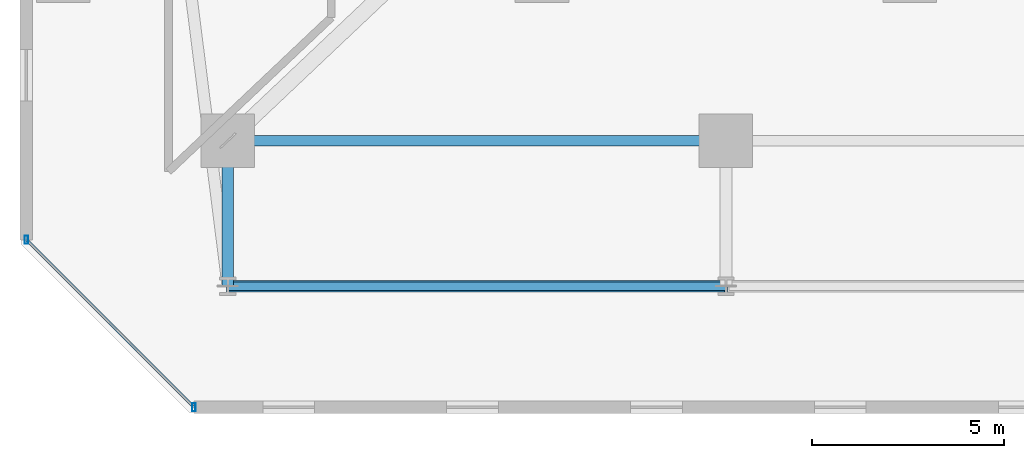
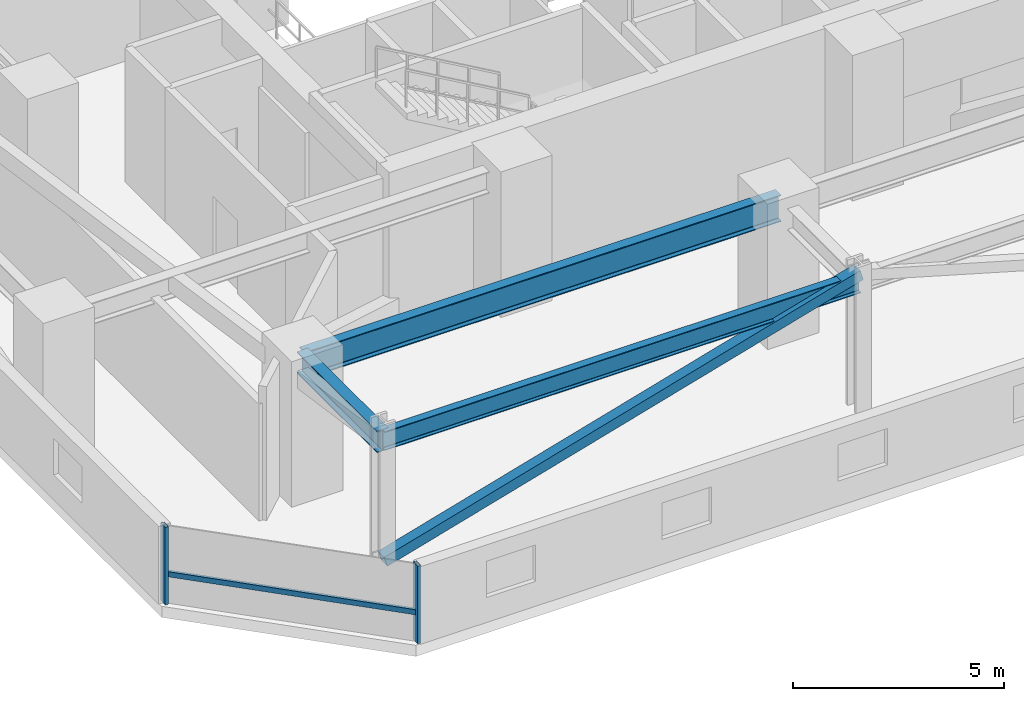
# One storey, part 3 of 38: 4 members, 3 beams, 1 element without a shape of its own.
"""IFC4 building model written with IfcOpenShell, lengths in metres."""

from ifc_helpers import new_model, si_unit, direction, frame, origin, origin_2d, place, context, subcontext, project, spatial, hollow_rectangle, i_section, extrude, material, material_profile, profile_set, type_object, element, aggregate, save


model = new_model("IFC4")

# Units and contexts
model_context = context("Model", 3, precision=1e-05, world=origin(), true_north=direction((0.0, 1.0)))
body_context = subcontext(model_context, "Body", "Model", "MODEL_VIEW")
ifc_project = project(units=[si_unit("LENGTHUNIT", "METRE"), si_unit("AREAUNIT", "SQUARE_METRE"), si_unit("VOLUMEUNIT", "CUBIC_METRE"), si_unit("PLANEANGLEUNIT", "RADIAN"), si_unit("MASSUNIT", "GRAM", prefix="KILO")], contexts=[model_context])

# Site, building, storey
site_placement = place(None, origin())
site = spatial("IfcSite", under=ifc_project, at=site_placement, CompositionType="ELEMENT")
building_placement = place(site_placement, origin())
building = spatial("IfcBuilding", under=site, at=building_placement, Name="Thornwick Lancets Civic Towers", CompositionType="ELEMENT")
storey_placement = place(building_placement, frame((0.0, 0.0, 71.699951171875)))
storey = spatial("IfcBuildingStorey", under=building, at=storey_placement, Name="L18", CompositionType="ELEMENT", Elevation=71.699951171875)

# Beams
ifc_material_1 = material(Name="Steel S355JR", Category="steel")
ifc_material_profile_1 = material_profile(ifc_material_1, i_section(OverallWidth=0.2119140625, OverallDepth=0.54443359375, WebThickness=0.0126953125, FlangeThickness=0.021240234375, FilletRadius=0.0126953125, at=origin_2d()), Name="UKB 533x210x122")
ifc_profile_set_1 = profile_set([ifc_material_profile_1], Name="Steel S355JR")
beam_type_1 = type_object("IfcBeamType", Name="BM_EDGE_533_122", PredefinedType="SPANDREL", material=ifc_profile_set_1)
beam_1_placement = place(storey_placement, frame((12.5, 5.89990234375, 3.607666015625), z_axis=(1.0, 0.0, 0.0), x_axis=(0.0, 1.0, 0.0)))
element("IfcBeam", 1, at=beam_1_placement, inside=storey, type_object=beam_type_1, Name="BM-EDGE-L18-A-S0-1", PredefinedType="SPANDREL", context=body_context, shape_type="SweptSolid", body=[
    extrude(i_section(OverallWidth=0.2119140625, OverallDepth=0.54443359375, WebThickness=0.0126953125, FlangeThickness=0.021240234375, FilletRadius=0.0126953125, at=origin_2d()), origin(), (0.0, 0.0, 1.0), 13.0),
])
ifc_material_profile_2 = material_profile(ifc_material_1, i_section(OverallWidth=0.30712890625, OverallDepth=0.6201171875, WebThickness=0.01416015625, FlangeThickness=0.023681640625, FilletRadius=0.0166015625, at=origin_2d()), Name="UKB 610x305x179")
ifc_profile_set_2 = profile_set([ifc_material_profile_2], Name="Steel S355JR")
beam_type_2 = type_object("IfcBeamType", Name="BM_GIRD_610_179", PredefinedType="BEAM", material=ifc_profile_set_2)
beam_2_placement = place(storey_placement, frame((12.5, 9.699951171875, 3.570068359375), z_axis=(0.0, -1.0, 0.0), x_axis=(1.0, 0.0, 0.0)))
element("IfcBeam", 2, at=beam_2_placement, inside=storey, type_object=beam_type_2, Name="BM-RAD-L18-A01", PredefinedType="BEAM", context=body_context, shape_type="SweptSolid", body=[
    extrude(i_section(OverallWidth=0.30712890625, OverallDepth=0.6201171875, WebThickness=0.01416015625, FlangeThickness=0.023681640625, FilletRadius=0.0166015625, at=origin_2d()), origin(), (0.0, 0.0, 1.0), 3.800048828125),
])
ifc_material_profile_3 = material_profile(ifc_material_1, i_section(OverallWidth=0.26806640625, OverallDepth=0.769775390625, WebThickness=0.015625, FlangeThickness=0.025390625, FilletRadius=0.0166015625, at=origin_2d()), Name="UKB 762x267x197")
ifc_profile_set_3 = profile_set([ifc_material_profile_3], Name="Steel S355JR")
beam_type_3 = type_object("IfcBeamType", Name="BM_GIRD_762_197", PredefinedType="BEAM", material=ifc_profile_set_3)
beam_3_placement = place(storey_placement, frame((12.5, 9.699951171875, 3.4951171875), z_axis=(1.0, 0.0, 0.0), x_axis=(0.0, 1.0, 0.0)))
element("IfcBeam", 3, at=beam_3_placement, inside=storey, type_object=beam_type_3, Name="BM-SPINE-L18-A-0-1", PredefinedType="BEAM", context=body_context, shape_type="SweptSolid", body=[
    extrude(i_section(OverallWidth=0.26806640625, OverallDepth=0.769775390625, WebThickness=0.015625, FlangeThickness=0.025390625, FilletRadius=0.0166015625, at=origin_2d()), origin(), (0.0, 0.0, 1.0), 13.0),
])

# Curtain wall, members
ifc_material_2 = material(Name="Low-zone chamfered-corner unitised glass curtain wall", Category="glass")
curtain_wall_type = type_object("IfcCurtainWallType", Name="CW_SYS_03", PredefinedType="NOTDEFINED", material=ifc_material_2)
curtain_wall_placement = place(storey_placement, origin())
curtain_wall = element("IfcCurtainWall", 4, at=curtain_wall_placement, inside=storey, type_object=curtain_wall_type, Name="L18 Curtain Wall CW-L18-A-E7", PredefinedType="NOTDEFINED")
ifc_material_3 = material(Name="Thermally broken bronze aluminium S355", Category="steel")
ifc_material_profile_4 = material_profile(ifc_material_3, hollow_rectangle(XDim=0.090087890625, YDim=0.219970703125, WallThickness=0.00634765625, at=origin_2d()), Name="RHS 220x90x6.3")
ifc_profile_set_4 = profile_set([ifc_material_profile_4], Name="Thermally broken bronze aluminium S355")
member_type_1 = type_object("IfcMemberType", Name="CW_MUL_220", PredefinedType="MULLION", material=ifc_profile_set_4)
member_1_placement = place(storey_placement, frame((7.240966796875, 7.112060546875, 0.0), z_axis=(0.0, 0.0, 1.0), x_axis=(1.0, 0.0, 0.0)))
member_1 = element("IfcMember", 5, at=member_1_placement, type_object=member_type_1, Name="CW-L18-A-E7 Mullion 0", PredefinedType="MULLION", context=body_context, shape_type="SweptSolid", body=[
    extrude(hollow_rectangle(XDim=0.090087890625, YDim=0.219970703125, WallThickness=0.00634765625, at=origin_2d()), origin(), (0.0, 0.0, 1.0), 2.239990234375),
])
member_2_placement = place(storey_placement, frame((11.612060546875, 2.740966796875, 0.0), z_axis=(0.0, 0.0, 1.0), x_axis=(1.0, 0.0, 0.0)))
member_2 = element("IfcMember", 6, at=member_2_placement, type_object=member_type_1, Name="CW-L18-A-E7 Mullion 1", PredefinedType="MULLION", context=body_context, shape_type="SweptSolid", body=[
    extrude(hollow_rectangle(XDim=0.090087890625, YDim=0.219970703125, WallThickness=0.00634765625, at=origin_2d()), origin(), (0.0, 0.0, 1.0), 2.239990234375),
])
ifc_material_profile_5 = material_profile(ifc_material_3, hollow_rectangle(XDim=0.074951171875, YDim=0.14990234375, WallThickness=0.0048828125, at=origin_2d()), Name="RHS 150x75x5")
ifc_profile_set_5 = profile_set([ifc_material_profile_5], Name="Thermally broken bronze aluminium S355")
member_type_2 = type_object("IfcMemberType", Name="CW_TRN_150", PredefinedType="USERDEFINED", material=ifc_profile_set_5)
member_3_placement = place(storey_placement, frame((7.2548828125, 7.097900390625, 0.85009765625), z_axis=(0.707106781187, -0.707106781187, 0.0), x_axis=(0.707106781187, 0.707106781187, 0.0)))
member_3 = element("IfcMember", 7, at=member_3_placement, type_object=member_type_2, Name="CW-L18-A-E7 Transom 0", ObjectType="TRANSOM", PredefinedType="USERDEFINED", context=body_context, shape_type="SweptSolid", body=[
    extrude(hollow_rectangle(XDim=0.074951171875, YDim=0.14990234375, WallThickness=0.0048828125, at=origin_2d()), origin(), (0.0, 0.0, 1.0), 6.141845703125),
])
aggregate(curtain_wall, [member_1, member_2, member_3])

# Member
ifc_material_4 = material(Name="Steel S460M", Category="steel")
ifc_material_profile_6 = material_profile(ifc_material_4, hollow_rectangle(XDim=0.300048828125, YDim=0.300048828125, WallThickness=0.01611328125, at=origin_2d()), Name="SHS 300x300x16")
ifc_profile_set_6 = profile_set([ifc_material_profile_6], Name="Steel S460M")
member_type_3 = type_object("IfcMemberType", Name="MEM_BELT_SHS300", PredefinedType="BRACE", material=ifc_profile_set_6)
member_4_placement = place(storey_placement, frame((12.5, 5.89990234375, 0.150146484375), z_axis=(0.961216810803, 0.0, 0.27579384081), x_axis=(0.0, 1.0, 0.0)))
element("IfcMember", 8, at=member_4_placement, inside=storey, type_object=member_type_3, Name="L18 Belt Truss Diagonal A-S0-1", PredefinedType="BRACE", context=body_context, shape_type="SweptSolid", body=[
    extrude(hollow_rectangle(XDim=0.300048828125, YDim=0.300048828125, WallThickness=0.01611328125, at=origin_2d()), origin(), (0.0, 0.0, 1.0), 13.5244140625),
])

save(model, "model.ifc")
